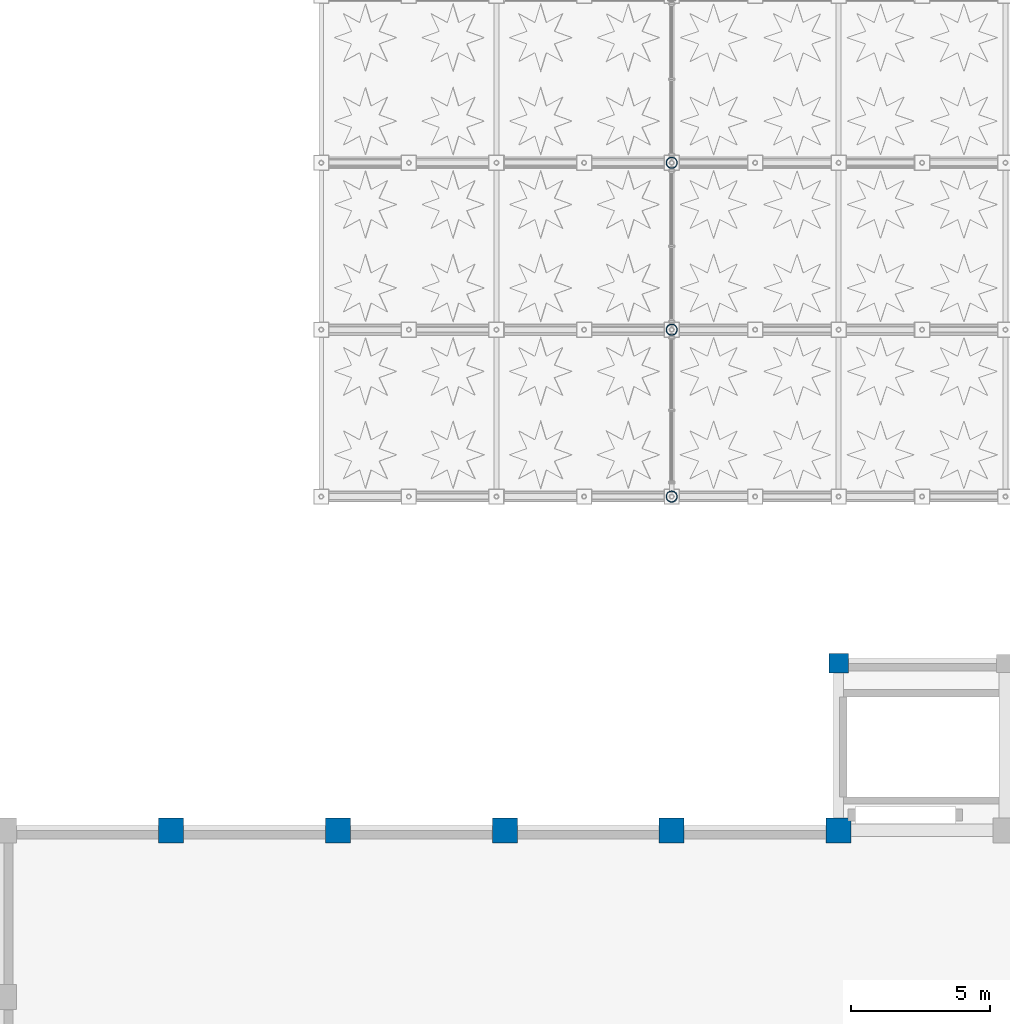
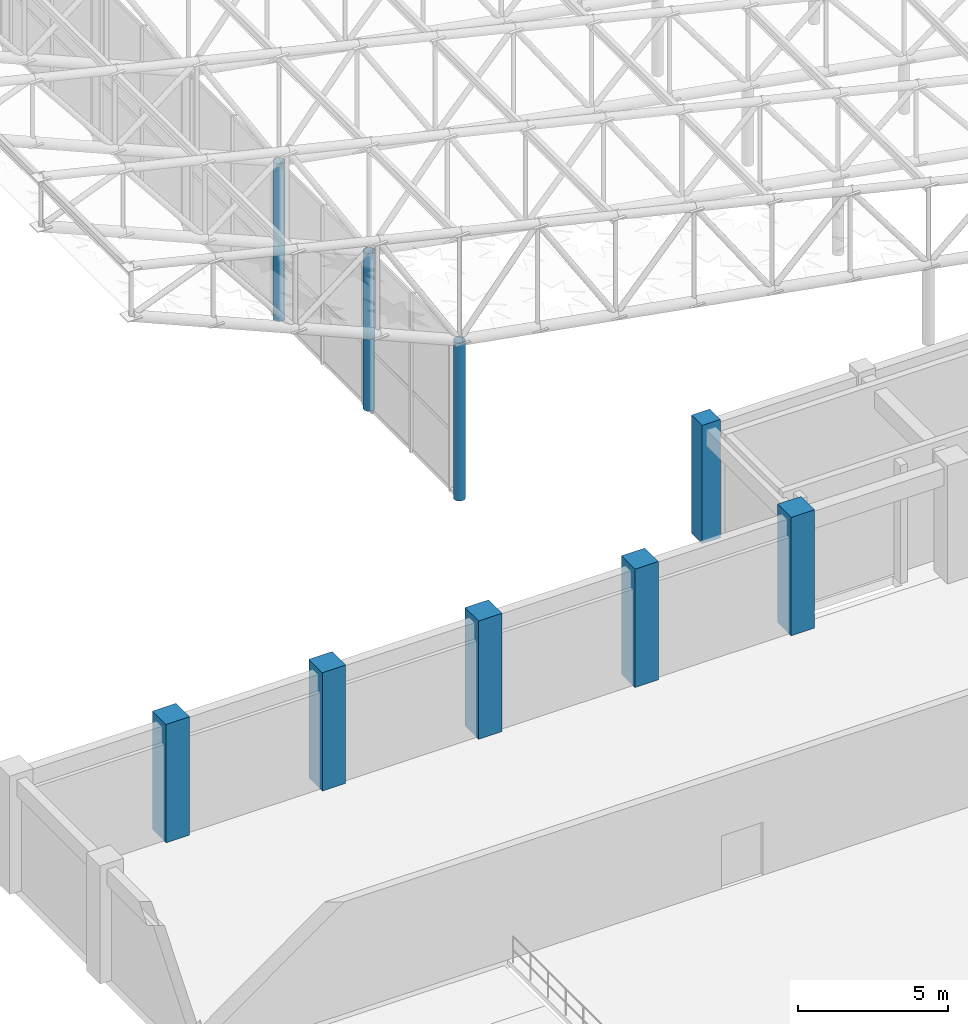
# One storey, part 5 of 112: 9 columns.
"""IFC4 building model written with IfcOpenShell, lengths in metres."""

from ifc_helpers import new_model, si_unit, direction, frame, origin, origin_2d, place, context, subcontext, project, spatial, rectangle, hollow_circle, extrude, material, material_profile, profile_set, type_object, element, save


model = new_model("IFC4")

# Units and contexts
model_context = context("Model", 3, precision=1e-05, world=origin(), true_north=direction((0.0, 1.0)))
body_context = subcontext(model_context, "Body", "Model", "MODEL_VIEW")
ifc_project = project(units=[si_unit("LENGTHUNIT", "METRE"), si_unit("AREAUNIT", "SQUARE_METRE"), si_unit("VOLUMEUNIT", "CUBIC_METRE"), si_unit("PLANEANGLEUNIT", "RADIAN"), si_unit("MASSUNIT", "GRAM", prefix="KILO"), si_unit("THERMODYNAMICTEMPERATUREUNIT", "KELVIN"), si_unit("POWERUNIT", "WATT")], contexts=[model_context])

# Site, building, storey
site_placement = place(None, origin())
site = spatial("IfcSite", under=ifc_project, at=site_placement, CompositionType="ELEMENT")
building_placement = place(site_placement, origin())
building = spatial("IfcBuilding", under=site, at=building_placement, Name="Phaisarnlok Congress Hotel", CompositionType="ELEMENT")
storey_placement = place(building_placement, frame((0.0, 0.0, 19.800048828125)))
storey = spatial("IfcBuildingStorey", under=building, at=storey_placement, Name="L04", CompositionType="ELEMENT", Elevation=19.800048828125)

# Columns
ifc_material_1 = material(Name="Concrete C50/60", Category="concrete")
ifc_material_profile_1 = material_profile(ifc_material_1, rectangle(XDim=0.699951171875, YDim=0.699951171875, at=origin_2d()), Name="RC 700x700")
ifc_profile_set_1 = profile_set([ifc_material_profile_1], Name="Concrete C50/60")
column_type_1 = type_object("IfcColumnType", Name="COL-RC-700", PredefinedType="COLUMN", material=ifc_profile_set_1)
column_placement = place(storey_placement, frame((126.0, 42.0, 0.0), z_axis=(0.0, 0.0, 1.0), x_axis=(1.0, 0.0, 0.0)))
element("IfcColumn", 1, at=column_placement, inside=storey, type_object=column_type_1, Name="Column C-05 (L04)", PredefinedType="COLUMN", context=body_context, shape_type="SweptSolid", body=[
    extrude(rectangle(XDim=0.699951171875, YDim=0.699951171875, at=origin_2d()), origin(), (0.0, 0.0, 1.0), 4.800048828125),
])
ifc_material_profile_2 = material_profile(ifc_material_1, rectangle(XDim=0.89990234375, YDim=0.89990234375, at=origin_2d()), Name="RC 900x900")
ifc_profile_set_2 = profile_set([ifc_material_profile_2], Name="Concrete C50/60")
column_type_2 = type_object("IfcColumnType", Name="COL-RC-900", PredefinedType="COLUMN", material=ifc_profile_set_2)
for number, where, z_axis, x_axis, name in (
    (2, (102.0, 36.0, 0.0), (0.0, 0.0, 1.0), (1.0, 0.0, 0.0), "Column C-08 (L04)"),
    (3, (108.0, 36.0, 0.0), (0.0, 0.0, 1.0), (1.0, 0.0, 0.0), "Column C-08 (L04)"),
    (4, (114.0, 36.0, 0.0), (0.0, 0.0, 1.0), (1.0, 0.0, 0.0), "Column C-08 (L04)"),
    (5, (120.0, 36.0, 0.0), (0.0, 0.0, 1.0), (1.0, 0.0, 0.0), "Column C-08 (L04)"),
    (6, (126.0, 36.0, 0.0), (0.0, 0.0, 1.0), (1.0, 0.0, 0.0), "Column C-08 (L04)"),
):
    element("IfcColumn", number, at=place(storey_placement, frame(where, z_axis=z_axis, x_axis=x_axis)), inside=storey, type_object=column_type_2, Name=name, PredefinedType="COLUMN", context=body_context, shape_type="SweptSolid", body=[
        extrude(rectangle(XDim=0.89990234375, YDim=0.89990234375, at=origin_2d()), origin(), (0.0, 0.0, 1.0), 4.800048828125),
    ])
ifc_material_2 = material(Name="Steel S355", Category="steel")
ifc_material_profile_3 = material_profile(ifc_material_2, hollow_circle(Radius=0.203125, WallThickness=0.02001953125, at=origin_2d()), Name="CHS 406.4x20")
ifc_profile_set_3 = profile_set([ifc_material_profile_3], Name="Steel S355")
column_type_3 = type_object("IfcColumnType", Name="COL-STL-CHS406-EXT", PredefinedType="COLUMN", material=ifc_profile_set_3)
for number, where, z_axis, x_axis, name in (
    (7, (120.0, 48.0, 0.0), (0.0, 0.0, 1.0), (1.0, 0.0, 0.0), "Cloister wing-roof upper slim steel column SC-02E (L04)"),
    (8, (120.0, 54.0, 0.0), (0.0, 0.0, 1.0), (1.0, 0.0, 0.0), "Cloister wing-roof upper slim steel column SC-02E (L04)"),
    (9, (120.0, 60.0, 0.0), (0.0, 0.0, 1.0), (1.0, 0.0, 0.0), "Cloister wing-roof upper slim steel column SC-02E (L04)"),
):
    element("IfcColumn", number, at=place(storey_placement, frame(where, z_axis=z_axis, x_axis=x_axis)), inside=storey, type_object=column_type_3, Name=name, PredefinedType="COLUMN", context=body_context, shape_type="SweptSolid", body=[
        extrude(hollow_circle(Radius=0.203125, WallThickness=0.02001953125, at=origin_2d()), origin(), (0.0, 0.0, 1.0), 6.39990234375),
    ])

save(model, "model.ifc")
